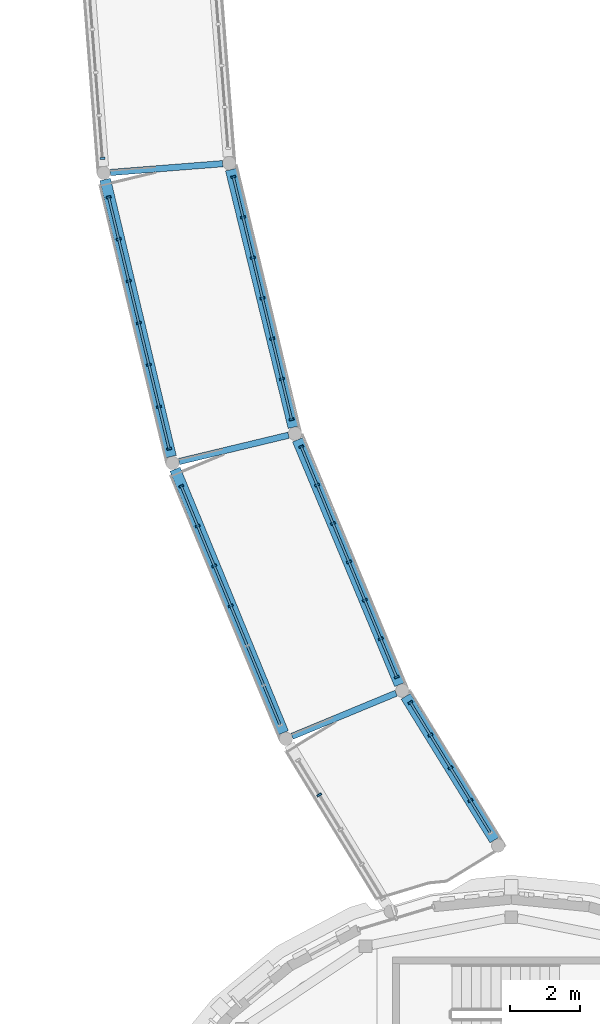
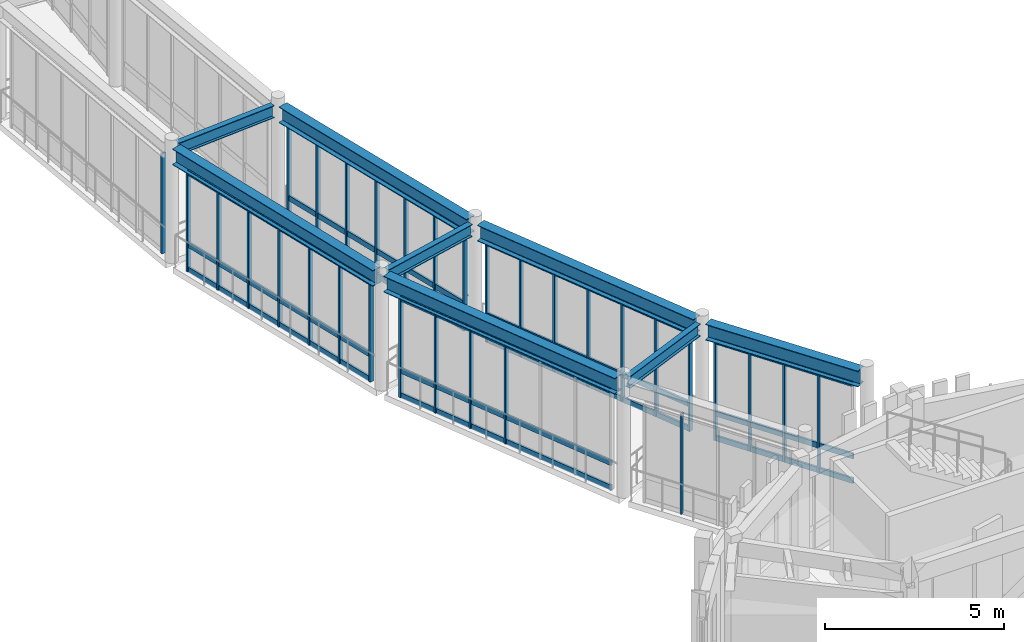
# One storey, part 25 of 80: 46 members, 8 beams, 7 elements without a shape of their own.
"""IFC4 building model written with IfcOpenShell, lengths in metres."""

from ifc_helpers import new_model, si_unit, direction, frame, origin, origin_2d, place, context, subcontext, project, spatial, rectangle, i_section, extrude, material, layer, layer_set, material_profile, profile_set, type_object, element, aggregate, save


model = new_model("IFC4")

# Units and contexts
model_context = context("Model", 3, precision=1e-05, world=origin(), true_north=direction((0.0, 1.0)))
body_context = subcontext(model_context, "Body", "Model", "MODEL_VIEW")
ifc_project = project(units=[si_unit("LENGTHUNIT", "METRE"), si_unit("AREAUNIT", "SQUARE_METRE"), si_unit("VOLUMEUNIT", "CUBIC_METRE"), si_unit("PLANEANGLEUNIT", "RADIAN"), si_unit("MASSUNIT", "GRAM", prefix="KILO")], contexts=[model_context])

# Site, building, storey
site_placement = place(None, origin())
site = spatial("IfcSite", under=ifc_project, at=site_placement, CompositionType="ELEMENT")
building_placement = place(site_placement, origin())
building = spatial("IfcBuilding", under=site, at=building_placement, Name="Aldenvaro Health Centre", CompositionType="ELEMENT")
storey_placement = place(building_placement, frame((0.0, 0.0, 4.550048828125)))
storey = spatial("IfcBuildingStorey", under=building, at=storey_placement, Name="L01", CompositionType="ELEMENT", Elevation=4.550048828125)

# Beams
ifc_material_1 = material(Name="Steel ASTM A992 Grade 50", Category="steel")
ifc_material_profile_1 = material_profile(ifc_material_1, i_section(OverallWidth=0.180908203125, OverallDepth=0.4169921875, WebThickness=0.010986328125, FlangeThickness=0.018310546875, at=origin_2d()), Name="W16X57", Category="steel")
ifc_profile_set_1 = profile_set([ifc_material_profile_1], Name="Steel ASTM A992 Grade 50")
beam_type_1 = type_object("IfcBeamType", Name="BM-ST-W16E", PredefinedType="JOIST", material=ifc_profile_set_1)
beam_1_placement = place(storey_placement, frame((146.2509765625, 50.9130859375, 3.740966796875), z_axis=(-0.996927822406, -0.078325710416, 0.0), x_axis=(0.078325710416, -0.996927822406, 0.0)))
element("IfcBeam", 1, at=beam_1_placement, inside=storey, type_object=beam_type_1, Name="East Curved Garden Colonnade Arc 5 L01 cross beam 2", PredefinedType="JOIST", context=body_context, shape_type="SweptSolid", body=[
    extrude(i_section(OverallWidth=0.180908203125, OverallDepth=0.4169921875, WebThickness=0.010986328125, FlangeThickness=0.018310546875, at=origin_2d()), origin(), (0.0, 0.0, 1.0), 3.219970703125),
])
beam_2_placement = place(storey_placement, frame((148.135009765625, 43.153076171875, 3.740966796875), z_axis=(-0.97231910957, -0.233656904811, 0.0), x_axis=(0.233656904811, -0.97231910957, 0.0)))
element("IfcBeam", 2, at=beam_2_placement, inside=storey, type_object=beam_type_1, Name="East Curved Garden Colonnade Arc 6 L01 cross beam 2", PredefinedType="JOIST", context=body_context, shape_type="SweptSolid", body=[
    extrude(i_section(OverallWidth=0.180908203125, OverallDepth=0.4169921875, WebThickness=0.010986328125, FlangeThickness=0.018310546875, at=origin_2d()), origin(), (0.0, 0.0, 1.0), 3.21923828125),
])
beam_3_placement = place(storey_placement, frame((151.208984375, 35.781005859375, 3.740966796875), z_axis=(-0.923867073753, -0.382713509084, 0.0), x_axis=(0.382713509084, -0.923867073753, 0.0)))
element("IfcBeam", 3, at=beam_3_placement, inside=storey, type_object=beam_type_1, Name="East Curved Garden Colonnade Arc 7 L01 cross beam 2", PredefinedType="JOIST", context=body_context, shape_type="SweptSolid", body=[
    extrude(i_section(OverallWidth=0.180908203125, OverallDepth=0.4169921875, WebThickness=0.010986328125, FlangeThickness=0.018310546875, at=origin_2d()), origin(), (0.0, 0.0, 1.0), 3.218994140625),
])
ifc_material_profile_2 = material_profile(ifc_material_1, i_section(OverallWidth=0.31201171875, OverallDepth=0.54296875, WebThickness=0.0126953125, FlangeThickness=0.020263671875, at=origin_2d()), Name="W21X101", Category="steel")
ifc_profile_set_2 = profile_set([ifc_material_profile_2], Name="Steel ASTM A992 Grade 50")
beam_type_2 = type_object("IfcBeamType", Name="BM-ST-W21E", PredefinedType="BEAM", material=ifc_profile_set_2)
beam_4_placement = place(storey_placement, frame((146.485107421875, 50.742919921875, 3.678955078125), z_axis=(0.236266872954, -0.971688203461, 0.0), x_axis=(0.971688203461, 0.236266872954, 0.0)))
element("IfcBeam", 4, at=beam_4_placement, inside=storey, type_object=beam_type_2, Name="East Curved Garden Colonnade Arc 6 L01 girder L-1", PredefinedType="BEAM", context=body_context, shape_type="SweptSolid", body=[
    extrude(i_section(OverallWidth=0.31201171875, OverallDepth=0.54296875, WebThickness=0.0126953125, FlangeThickness=0.020263671875, at=origin_2d()), origin(), (0.0, 0.0, 1.0), 7.5751953125),
])
beam_5_placement = place(storey_placement, frame((142.89599609375, 50.4609375, 3.678955078125), z_axis=(0.230971628449, -0.972960485761, 0.0), x_axis=(0.972960485761, 0.230971628449, 0.0)))
element("IfcBeam", 5, at=beam_5_placement, inside=storey, type_object=beam_type_2, Name="East Curved Garden Colonnade Arc 6 L01 girder R-1", PredefinedType="BEAM", context=body_context, shape_type="SweptSolid", body=[
    extrude(i_section(OverallWidth=0.31201171875, OverallDepth=0.54296875, WebThickness=0.0126953125, FlangeThickness=0.020263671875, at=origin_2d()), origin(), (0.0, 0.0, 1.0), 8.138916015625),
])
beam_6_placement = place(storey_placement, frame((148.39306640625, 43.02197265625, 3.678955078125), z_axis=(0.385203244822, -0.922831761579, 0.0), x_axis=(0.922831761579, 0.385203244822, 0.0)))
element("IfcBeam", 6, at=beam_6_placement, inside=storey, type_object=beam_type_2, Name="East Curved Garden Colonnade Arc 7 L01 girder L-1", PredefinedType="BEAM", context=body_context, shape_type="SweptSolid", body=[
    extrude(i_section(OverallWidth=0.31201171875, OverallDepth=0.54296875, WebThickness=0.0126953125, FlangeThickness=0.020263671875, at=origin_2d()), origin(), (0.0, 0.0, 1.0), 7.57763671875),
])
beam_7_placement = place(storey_placement, frame((144.89208984375, 42.180908203125, 3.678955078125), z_axis=(0.380211211966, -0.924899688775, 0.0), x_axis=(0.924899688775, 0.380211211966, 0.0)))
element("IfcBeam", 7, at=beam_7_placement, inside=storey, type_object=beam_type_2, Name="East Curved Garden Colonnade Arc 7 L01 girder R-1", PredefinedType="BEAM", context=body_context, shape_type="SweptSolid", body=[
    extrude(i_section(OverallWidth=0.31201171875, OverallDepth=0.54296875, WebThickness=0.0126953125, FlangeThickness=0.020263671875, at=origin_2d()), origin(), (0.0, 0.0, 1.0), 8.14013671875),
])
beam_8_placement = place(storey_placement, frame((151.485107421875, 35.69189453125, 3.678955078125), z_axis=(0.526147401134, -0.85039338678, 0.0), x_axis=(0.85039338678, 0.526147401134, 0.0)))
element("IfcBeam", 8, at=beam_8_placement, inside=storey, type_object=beam_type_2, Name="East Curved Garden Colonnade Arc 8 L01 girder L-1", PredefinedType="BEAM", context=body_context, shape_type="SweptSolid", body=[
    extrude(i_section(OverallWidth=0.31201171875, OverallDepth=0.54296875, WebThickness=0.0126953125, FlangeThickness=0.020263671875, at=origin_2d()), origin(), (0.0, 0.0, 1.0), 4.8271484375),
])

# Curtain wall, member
ifc_material_2 = material(Name="Anodised Aluminium 6063-T6", Category="aluminium")
ifc_layer = layer(ifc_material_2, 0.2099609375, Name="Anodised Aluminium 6063-T6", Category="aluminium")
ifc_layer_set = layer_set([ifc_layer], Name="Anodised Aluminium 6063-T6")
curtain_wall_type = type_object("IfcCurtainWallType", Name="CW-BRG-03", PredefinedType="NOTDEFINED", material=ifc_layer_set)
curtain_wall_1_placement = place(storey_placement, origin())
curtain_wall_1 = element("IfcCurtainWall", 9, at=curtain_wall_1_placement, inside=storey, type_object=curtain_wall_type, Name="East Curved Garden Colonnade Arc 5 L01 glazed link wall R-1.1", PredefinedType="NOTDEFINED")
ifc_material_profile_3 = material_profile(ifc_material_2, rectangle(XDim=0.06005859375, YDim=0.135009765625, at=origin_2d()), Name="ALU 60x135", Category="aluminium")
ifc_profile_set_3 = profile_set([ifc_material_profile_3], Name="Anodised Aluminium 6063-T6")
member_type_1 = type_object("IfcMemberType", Name="CWM-150", PredefinedType="MULLION", material=ifc_profile_set_3)
member_1_placement = place(storey_placement, frame((142.819091796875, 51.06494140625, 0.0), z_axis=(0.0, 0.0, 1.0), x_axis=(0.078536330505, -0.996911252214, 0.0)))
member_1 = element("IfcMember", 10, at=member_1_placement, type_object=member_type_1, Name="East Curved Garden Colonnade Arc 5 L01 glazed link wall R-1.1 mullion 7", PredefinedType="MULLION", context=body_context, shape_type="SweptSolid", body=[
    extrude(rectangle(XDim=0.06005859375, YDim=0.135009765625, at=origin_2d()), origin(), (0.0, 0.0, 1.0), 3.409912109375),
])
aggregate(curtain_wall_1, [member_1])

# Curtain wall, members
curtain_wall_2_placement = place(storey_placement, origin())
curtain_wall_2 = element("IfcCurtainWall", 11, at=curtain_wall_2_placement, inside=storey, type_object=curtain_wall_type, Name="East Curved Garden Colonnade Arc 6 L01 glazed link wall L-1.1", PredefinedType="NOTDEFINED")
member_2_placement = place(storey_placement, frame((146.55810546875, 50.534912109375, 0.0), z_axis=(0.0, 0.0, 1.0), x_axis=(0.233510945903, -0.972354173202, 0.0)))
member_2 = element("IfcMember", 12, at=member_2_placement, type_object=member_type_1, Name="East Curved Garden Colonnade Arc 6 L01 glazed link wall L-1.1 mullion 1", PredefinedType="MULLION", context=body_context, shape_type="SweptSolid", body=[
    extrude(rectangle(XDim=0.06005859375, YDim=0.135009765625, at=origin_2d()), origin(), (0.0, 0.0, 1.0), 3.409912109375),
])
member_3_placement = place(storey_placement, frame((146.8349609375, 49.3798828125, 0.0), z_axis=(0.0, 0.0, 1.0), x_axis=(0.233510945903, -0.972354173202, 0.0)))
member_3 = element("IfcMember", 13, at=member_3_placement, type_object=member_type_1, Name="East Curved Garden Colonnade Arc 6 L01 glazed link wall L-1.1 mullion 2", PredefinedType="MULLION", context=body_context, shape_type="SweptSolid", body=[
    extrude(rectangle(XDim=0.06005859375, YDim=0.135009765625, at=origin_2d()), origin(), (0.0, 0.0, 1.0), 3.409912109375),
])
member_4_placement = place(storey_placement, frame((147.113037109375, 48.22509765625, 0.0), z_axis=(0.0, 0.0, 1.0), x_axis=(0.233510945903, -0.972354173202, 0.0)))
member_4 = element("IfcMember", 14, at=member_4_placement, type_object=member_type_1, Name="East Curved Garden Colonnade Arc 6 L01 glazed link wall L-1.1 mullion 3", PredefinedType="MULLION", context=body_context, shape_type="SweptSolid", body=[
    extrude(rectangle(XDim=0.06005859375, YDim=0.135009765625, at=origin_2d()), origin(), (0.0, 0.0, 1.0), 3.409912109375),
])
member_5_placement = place(storey_placement, frame((147.389892578125, 47.070068359375, 0.0), z_axis=(0.0, 0.0, 1.0), x_axis=(0.233510945903, -0.972354173202, 0.0)))
member_5 = element("IfcMember", 15, at=member_5_placement, type_object=member_type_1, Name="East Curved Garden Colonnade Arc 6 L01 glazed link wall L-1.1 mullion 4", PredefinedType="MULLION", context=body_context, shape_type="SweptSolid", body=[
    extrude(rectangle(XDim=0.06005859375, YDim=0.135009765625, at=origin_2d()), origin(), (0.0, 0.0, 1.0), 3.409912109375),
])
member_6_placement = place(storey_placement, frame((147.6669921875, 45.916015625, 0.0), z_axis=(0.0, 0.0, 1.0), x_axis=(0.233510945903, -0.972354173202, 0.0)))
member_6 = element("IfcMember", 16, at=member_6_placement, type_object=member_type_1, Name="East Curved Garden Colonnade Arc 6 L01 glazed link wall L-1.1 mullion 5", PredefinedType="MULLION", context=body_context, shape_type="SweptSolid", body=[
    extrude(rectangle(XDim=0.06005859375, YDim=0.135009765625, at=origin_2d()), origin(), (0.0, 0.0, 1.0), 3.409912109375),
])
member_7_placement = place(storey_placement, frame((147.945068359375, 44.760986328125, 0.0), z_axis=(0.0, 0.0, 1.0), x_axis=(0.233510945903, -0.972354173202, 0.0)))
member_7 = element("IfcMember", 17, at=member_7_placement, type_object=member_type_1, Name="East Curved Garden Colonnade Arc 6 L01 glazed link wall L-1.1 mullion 6", PredefinedType="MULLION", context=body_context, shape_type="SweptSolid", body=[
    extrude(rectangle(XDim=0.06005859375, YDim=0.135009765625, at=origin_2d()), origin(), (0.0, 0.0, 1.0), 3.409912109375),
])
member_8_placement = place(storey_placement, frame((148.221923828125, 43.60595703125, 0.0), z_axis=(0.0, 0.0, 1.0), x_axis=(0.233510945903, -0.972354173202, 0.0)))
member_8 = element("IfcMember", 18, at=member_8_placement, type_object=member_type_1, Name="East Curved Garden Colonnade Arc 6 L01 glazed link wall L-1.1 mullion 7", PredefinedType="MULLION", context=body_context, shape_type="SweptSolid", body=[
    extrude(rectangle(XDim=0.06005859375, YDim=0.135009765625, at=origin_2d()), origin(), (0.0, 0.0, 1.0), 3.409912109375),
])

curtain_wall_3_placement = place(storey_placement, origin())
curtain_wall_3 = element("IfcCurtainWall", 19, at=curtain_wall_3_placement, inside=storey, type_object=curtain_wall_type, Name="East Curved Garden Colonnade Arc 6 L01 glazed link wall R-1.1", PredefinedType="NOTDEFINED")
member_9_placement = place(storey_placement, frame((142.993896484375, 49.9580078125, 0.0), z_axis=(0.0, 0.0, 1.0), x_axis=(0.233587677429, -0.972335742917, 0.0)))
member_9 = element("IfcMember", 20, at=member_9_placement, type_object=member_type_1, Name="East Curved Garden Colonnade Arc 6 L01 glazed link wall R-1.1 mullion 1", PredefinedType="MULLION", context=body_context, shape_type="SweptSolid", body=[
    extrude(rectangle(XDim=0.06005859375, YDim=0.135009765625, at=origin_2d()), origin(), (0.0, 0.0, 1.0), 3.409912109375),
])
member_10_placement = place(storey_placement, frame((143.281982421875, 48.759033203125, 0.0), z_axis=(0.0, 0.0, 1.0), x_axis=(0.233587677429, -0.972335742917, 0.0)))
member_10 = element("IfcMember", 21, at=member_10_placement, type_object=member_type_1, Name="East Curved Garden Colonnade Arc 6 L01 glazed link wall R-1.1 mullion 2", PredefinedType="MULLION", context=body_context, shape_type="SweptSolid", body=[
    extrude(rectangle(XDim=0.06005859375, YDim=0.135009765625, at=origin_2d()), origin(), (0.0, 0.0, 1.0), 3.409912109375),
])
member_11_placement = place(storey_placement, frame((143.570068359375, 47.56005859375, 0.0), z_axis=(0.0, 0.0, 1.0), x_axis=(0.233587677429, -0.972335742917, 0.0)))
member_11 = element("IfcMember", 22, at=member_11_placement, type_object=member_type_1, Name="East Curved Garden Colonnade Arc 6 L01 glazed link wall R-1.1 mullion 3", PredefinedType="MULLION", context=body_context, shape_type="SweptSolid", body=[
    extrude(rectangle(XDim=0.06005859375, YDim=0.135009765625, at=origin_2d()), origin(), (0.0, 0.0, 1.0), 3.409912109375),
])
member_12_placement = place(storey_placement, frame((143.85791015625, 46.361083984375, 0.0), z_axis=(0.0, 0.0, 1.0), x_axis=(0.233587677429, -0.972335742917, 0.0)))
member_12 = element("IfcMember", 23, at=member_12_placement, type_object=member_type_1, Name="East Curved Garden Colonnade Arc 6 L01 glazed link wall R-1.1 mullion 4", PredefinedType="MULLION", context=body_context, shape_type="SweptSolid", body=[
    extrude(rectangle(XDim=0.06005859375, YDim=0.135009765625, at=origin_2d()), origin(), (0.0, 0.0, 1.0), 3.409912109375),
])
member_13_placement = place(storey_placement, frame((144.14599609375, 45.1630859375, 0.0), z_axis=(0.0, 0.0, 1.0), x_axis=(0.233587677429, -0.972335742917, 0.0)))
member_13 = element("IfcMember", 24, at=member_13_placement, type_object=member_type_1, Name="East Curved Garden Colonnade Arc 6 L01 glazed link wall R-1.1 mullion 5", PredefinedType="MULLION", context=body_context, shape_type="SweptSolid", body=[
    extrude(rectangle(XDim=0.06005859375, YDim=0.135009765625, at=origin_2d()), origin(), (0.0, 0.0, 1.0), 3.409912109375),
])
member_14_placement = place(storey_placement, frame((144.43408203125, 43.964111328125, 0.0), z_axis=(0.0, 0.0, 1.0), x_axis=(0.233587677429, -0.972335742917, 0.0)))
member_14 = element("IfcMember", 25, at=member_14_placement, type_object=member_type_1, Name="East Curved Garden Colonnade Arc 6 L01 glazed link wall R-1.1 mullion 6", PredefinedType="MULLION", context=body_context, shape_type="SweptSolid", body=[
    extrude(rectangle(XDim=0.06005859375, YDim=0.135009765625, at=origin_2d()), origin(), (0.0, 0.0, 1.0), 3.409912109375),
])
member_15_placement = place(storey_placement, frame((144.721923828125, 42.764892578125, 0.0), z_axis=(0.0, 0.0, 1.0), x_axis=(0.233587677429, -0.972335742917, 0.0)))
member_15 = element("IfcMember", 26, at=member_15_placement, type_object=member_type_1, Name="East Curved Garden Colonnade Arc 6 L01 glazed link wall R-1.1 mullion 7", PredefinedType="MULLION", context=body_context, shape_type="SweptSolid", body=[
    extrude(rectangle(XDim=0.06005859375, YDim=0.135009765625, at=origin_2d()), origin(), (0.0, 0.0, 1.0), 3.409912109375),
])

curtain_wall_4_placement = place(storey_placement, origin())
curtain_wall_4 = element("IfcCurtainWall", 27, at=curtain_wall_4_placement, inside=storey, type_object=curtain_wall_type, Name="East Curved Garden Colonnade Arc 7 L01 glazed link wall L-1.1", PredefinedType="NOTDEFINED")
member_16_placement = place(storey_placement, frame((148.4970703125, 42.827880859375, 0.0), z_axis=(0.0, 0.0, 1.0), x_axis=(0.382562426811, -0.923929645369, 0.0)))
member_16 = element("IfcMember", 28, at=member_16_placement, type_object=member_type_1, Name="East Curved Garden Colonnade Arc 7 L01 glazed link wall L-1.1 mullion 1", PredefinedType="MULLION", context=body_context, shape_type="SweptSolid", body=[
    extrude(rectangle(XDim=0.06005859375, YDim=0.135009765625, at=origin_2d()), origin(), (0.0, 0.0, 1.0), 3.409912109375),
])
member_17_placement = place(storey_placement, frame((148.951904296875, 41.72998046875, 0.0), z_axis=(0.0, 0.0, 1.0), x_axis=(0.382562426811, -0.923929645369, 0.0)))
member_17 = element("IfcMember", 29, at=member_17_placement, type_object=member_type_1, Name="East Curved Garden Colonnade Arc 7 L01 glazed link wall L-1.1 mullion 2", PredefinedType="MULLION", context=body_context, shape_type="SweptSolid", body=[
    extrude(rectangle(XDim=0.06005859375, YDim=0.135009765625, at=origin_2d()), origin(), (0.0, 0.0, 1.0), 3.409912109375),
])
member_18_placement = place(storey_placement, frame((149.406005859375, 40.633056640625, 0.0), z_axis=(0.0, 0.0, 1.0), x_axis=(0.382562426811, -0.923929645369, 0.0)))
member_18 = element("IfcMember", 30, at=member_18_placement, type_object=member_type_1, Name="East Curved Garden Colonnade Arc 7 L01 glazed link wall L-1.1 mullion 3", PredefinedType="MULLION", context=body_context, shape_type="SweptSolid", body=[
    extrude(rectangle(XDim=0.06005859375, YDim=0.135009765625, at=origin_2d()), origin(), (0.0, 0.0, 1.0), 3.409912109375),
])
member_19_placement = place(storey_placement, frame((149.861083984375, 39.534912109375, 0.0), z_axis=(0.0, 0.0, 1.0), x_axis=(0.382562426811, -0.923929645369, 0.0)))
member_19 = element("IfcMember", 31, at=member_19_placement, type_object=member_type_1, Name="East Curved Garden Colonnade Arc 7 L01 glazed link wall L-1.1 mullion 4", PredefinedType="MULLION", context=body_context, shape_type="SweptSolid", body=[
    extrude(rectangle(XDim=0.06005859375, YDim=0.135009765625, at=origin_2d()), origin(), (0.0, 0.0, 1.0), 3.409912109375),
])
member_20_placement = place(storey_placement, frame((150.31494140625, 38.43701171875, 0.0), z_axis=(0.0, 0.0, 1.0), x_axis=(0.382562426811, -0.923929645369, 0.0)))
member_20 = element("IfcMember", 32, at=member_20_placement, type_object=member_type_1, Name="East Curved Garden Colonnade Arc 7 L01 glazed link wall L-1.1 mullion 5", PredefinedType="MULLION", context=body_context, shape_type="SweptSolid", body=[
    extrude(rectangle(XDim=0.06005859375, YDim=0.135009765625, at=origin_2d()), origin(), (0.0, 0.0, 1.0), 3.409912109375),
])
member_21_placement = place(storey_placement, frame((150.76904296875, 37.340087890625, 0.0), z_axis=(0.0, 0.0, 1.0), x_axis=(0.382562426811, -0.923929645369, 0.0)))
member_21 = element("IfcMember", 33, at=member_21_placement, type_object=member_type_1, Name="East Curved Garden Colonnade Arc 7 L01 glazed link wall L-1.1 mullion 6", PredefinedType="MULLION", context=body_context, shape_type="SweptSolid", body=[
    extrude(rectangle(XDim=0.06005859375, YDim=0.135009765625, at=origin_2d()), origin(), (0.0, 0.0, 1.0), 3.409912109375),
])
member_22_placement = place(storey_placement, frame((151.22412109375, 36.241943359375, 0.0), z_axis=(0.0, 0.0, 1.0), x_axis=(0.382562426811, -0.923929645369, 0.0)))
member_22 = element("IfcMember", 34, at=member_22_placement, type_object=member_type_1, Name="East Curved Garden Colonnade Arc 7 L01 glazed link wall L-1.1 mullion 7", PredefinedType="MULLION", context=body_context, shape_type="SweptSolid", body=[
    extrude(rectangle(XDim=0.06005859375, YDim=0.135009765625, at=origin_2d()), origin(), (0.0, 0.0, 1.0), 3.409912109375),
])

curtain_wall_5_placement = place(storey_placement, origin())
curtain_wall_5 = element("IfcCurtainWall", 35, at=curtain_wall_5_placement, inside=storey, type_object=curtain_wall_type, Name="East Curved Garden Colonnade Arc 7 L01 glazed link wall R-1.1", PredefinedType="NOTDEFINED")
member_23_placement = place(storey_placement, frame((145.068115234375, 41.699951171875, 0.0), z_axis=(0.0, 0.0, 1.0), x_axis=(0.382503002228, -0.923954248481, 0.0)))
member_23 = element("IfcMember", 36, at=member_23_placement, type_object=member_type_1, Name="East Curved Garden Colonnade Arc 7 L01 glazed link wall R-1.1 mullion 1", PredefinedType="MULLION", context=body_context, shape_type="SweptSolid", body=[
    extrude(rectangle(XDim=0.06005859375, YDim=0.135009765625, at=origin_2d()), origin(), (0.0, 0.0, 1.0), 3.409912109375),
])
member_24_placement = place(storey_placement, frame((145.5400390625, 40.56103515625, 0.0), z_axis=(0.0, 0.0, 1.0), x_axis=(0.382503002228, -0.923954248481, 0.0)))
member_24 = element("IfcMember", 37, at=member_24_placement, type_object=member_type_1, Name="East Curved Garden Colonnade Arc 7 L01 glazed link wall R-1.1 mullion 2", PredefinedType="MULLION", context=body_context, shape_type="SweptSolid", body=[
    extrude(rectangle(XDim=0.06005859375, YDim=0.135009765625, at=origin_2d()), origin(), (0.0, 0.0, 1.0), 3.409912109375),
])
member_25_placement = place(storey_placement, frame((146.010986328125, 39.4208984375, 0.0), z_axis=(0.0, 0.0, 1.0), x_axis=(0.382503002228, -0.923954248481, 0.0)))
member_25 = element("IfcMember", 38, at=member_25_placement, type_object=member_type_1, Name="East Curved Garden Colonnade Arc 7 L01 glazed link wall R-1.1 mullion 3", PredefinedType="MULLION", context=body_context, shape_type="SweptSolid", body=[
    extrude(rectangle(XDim=0.06005859375, YDim=0.135009765625, at=origin_2d()), origin(), (0.0, 0.0, 1.0), 3.409912109375),
])
member_26_placement = place(storey_placement, frame((146.48291015625, 38.281982421875, 0.0), z_axis=(0.0, 0.0, 1.0), x_axis=(0.382503002228, -0.923954248481, 0.0)))
member_26 = element("IfcMember", 39, at=member_26_placement, type_object=member_type_1, Name="East Curved Garden Colonnade Arc 7 L01 glazed link wall R-1.1 mullion 4", PredefinedType="MULLION", context=body_context, shape_type="SweptSolid", body=[
    extrude(rectangle(XDim=0.06005859375, YDim=0.135009765625, at=origin_2d()), origin(), (0.0, 0.0, 1.0), 3.409912109375),
])

curtain_wall_6_placement = place(storey_placement, origin())
curtain_wall_6 = element("IfcCurtainWall", 40, at=curtain_wall_6_placement, inside=storey, type_object=curtain_wall_type, Name="East Curved Garden Colonnade Arc 8 L01 glazed link wall L-1.1", PredefinedType="NOTDEFINED")
member_27_placement = place(storey_placement, frame((151.617919921875, 35.51708984375, 0.0), z_axis=(0.0, 0.0, 1.0), x_axis=(0.522567413628, -0.852597969863, 0.0)))
member_27 = element("IfcMember", 41, at=member_27_placement, type_object=member_type_1, Name="East Curved Garden Colonnade Arc 8 L01 glazed link wall L-1.1 mullion 1", PredefinedType="MULLION", context=body_context, shape_type="SweptSolid", body=[
    extrude(rectangle(XDim=0.06005859375, YDim=0.135009765625, at=origin_2d()), origin(), (0.0, 0.0, 1.0), 3.409912109375),
])
member_28_placement = place(storey_placement, frame((152.18994140625, 34.583984375, 0.0), z_axis=(0.0, 0.0, 1.0), x_axis=(0.522567413628, -0.852597969863, 0.0)))
member_28 = element("IfcMember", 42, at=member_28_placement, type_object=member_type_1, Name="East Curved Garden Colonnade Arc 8 L01 glazed link wall L-1.1 mullion 2", PredefinedType="MULLION", context=body_context, shape_type="SweptSolid", body=[
    extrude(rectangle(XDim=0.06005859375, YDim=0.135009765625, at=origin_2d()), origin(), (0.0, 0.0, 1.0), 3.409912109375),
])
member_29_placement = place(storey_placement, frame((152.761962890625, 33.65087890625, 0.0), z_axis=(0.0, 0.0, 1.0), x_axis=(0.522567413628, -0.852597969863, 0.0)))
member_29 = element("IfcMember", 43, at=member_29_placement, type_object=member_type_1, Name="East Curved Garden Colonnade Arc 8 L01 glazed link wall L-1.1 mullion 3", PredefinedType="MULLION", context=body_context, shape_type="SweptSolid", body=[
    extrude(rectangle(XDim=0.06005859375, YDim=0.135009765625, at=origin_2d()), origin(), (0.0, 0.0, 1.0), 3.409912109375),
])
member_30_placement = place(storey_placement, frame((153.333984375, 32.717041015625, 0.0), z_axis=(0.0, 0.0, 1.0), x_axis=(0.522567413628, -0.852597969863, 0.0)))
member_30 = element("IfcMember", 44, at=member_30_placement, type_object=member_type_1, Name="East Curved Garden Colonnade Arc 8 L01 glazed link wall L-1.1 mullion 4", PredefinedType="MULLION", context=body_context, shape_type="SweptSolid", body=[
    extrude(rectangle(XDim=0.06005859375, YDim=0.135009765625, at=origin_2d()), origin(), (0.0, 0.0, 1.0), 3.409912109375),
])

# Curtain wall, member
curtain_wall_7_placement = place(storey_placement, origin())
curtain_wall_7 = element("IfcCurtainWall", 45, at=curtain_wall_7_placement, inside=storey, type_object=curtain_wall_type, Name="East Curved Garden Colonnade Arc 8 L01 glazed link wall R-1.1", PredefinedType="NOTDEFINED")
member_31_placement = place(storey_placement, frame((149.013916015625, 32.875, 0.0), z_axis=(0.0, 0.0, 1.0), x_axis=(0.522476308425, -0.852653802627, 0.0)))
member_31 = element("IfcMember", 46, at=member_31_placement, type_object=member_type_1, Name="East Curved Garden Colonnade Arc 8 L01 glazed link wall R-1.1 mullion 2", PredefinedType="MULLION", context=body_context, shape_type="SweptSolid", body=[
    extrude(rectangle(XDim=0.06005859375, YDim=0.135009765625, at=origin_2d()), origin(), (0.0, 0.0, 1.0), 3.409912109375),
])
aggregate(curtain_wall_7, [member_31])

# Member
ifc_material_profile_4 = material_profile(ifc_material_2, rectangle(XDim=0.06494140625, YDim=0.179931640625, at=origin_2d()), Name="ALU 65x180", Category="aluminium")
ifc_profile_set_4 = profile_set([ifc_material_profile_4], Name="Anodised Aluminium 6063-T6")
member_type_2 = type_object("IfcMemberType", Name="CWT-150", PredefinedType="USERDEFINED", material=ifc_profile_set_4)
member_32_placement = place(storey_placement, frame((146.55810546875, 50.534912109375, 0.06005859375), z_axis=(0.233488276979, -0.972359616867, 0.0), x_axis=(0.972359616867, 0.233488276979, 0.0)))
member_32 = element("IfcMember", 47, at=member_32_placement, type_object=member_type_2, Name="East Curved Garden Colonnade Arc 6 L01 glazed link wall L-1.1 transom 1", ObjectType="TRANSOM", PredefinedType="USERDEFINED", context=body_context, shape_type="SweptSolid", body=[
    extrude(rectangle(XDim=0.06494140625, YDim=0.179931640625, at=origin_2d()), origin(), (0.0, 0.0, 1.0), 7.1259765625),
])

member_33_placement = place(storey_placement, frame((146.55810546875, 50.534912109375, 0.89990234375), z_axis=(0.233488276979, -0.972359616867, 0.0), x_axis=(0.972359616867, 0.233488276979, 0.0)))
member_33 = element("IfcMember", 48, at=member_33_placement, type_object=member_type_2, Name="East Curved Garden Colonnade Arc 6 L01 glazed link wall L-1.1 transom 2", ObjectType="TRANSOM", PredefinedType="USERDEFINED", context=body_context, shape_type="SweptSolid", body=[
    extrude(rectangle(XDim=0.06494140625, YDim=0.179931640625, at=origin_2d()), origin(), (0.0, 0.0, 1.0), 7.1259765625),
])

member_34_placement = place(storey_placement, frame((146.55810546875, 50.534912109375, 3.349853515625), z_axis=(0.233488276979, -0.972359616867, 0.0), x_axis=(0.972359616867, 0.233488276979, 0.0)))
member_34 = element("IfcMember", 49, at=member_34_placement, type_object=member_type_2, Name="East Curved Garden Colonnade Arc 6 L01 glazed link wall L-1.1 transom 3", ObjectType="TRANSOM", PredefinedType="USERDEFINED", context=body_context, shape_type="SweptSolid", body=[
    extrude(rectangle(XDim=0.06494140625, YDim=0.179931640625, at=origin_2d()), origin(), (0.0, 0.0, 1.0), 7.1259765625),
])

aggregate(curtain_wall_2, [member_2, member_3, member_4, member_5, member_6, member_7, member_8, member_32, member_33, member_34])

member_35_placement = place(storey_placement, frame((142.993896484375, 49.9580078125, 0.06005859375), z_axis=(0.233587634054, -0.972335753337, 0.0), x_axis=(0.972335753337, 0.233587634054, 0.0)))
member_35 = element("IfcMember", 50, at=member_35_placement, type_object=member_type_2, Name="East Curved Garden Colonnade Arc 6 L01 glazed link wall R-1.1 transom 1", ObjectType="TRANSOM", PredefinedType="USERDEFINED", context=body_context, shape_type="SweptSolid", body=[
    extrude(rectangle(XDim=0.06494140625, YDim=0.179931640625, at=origin_2d()), origin(), (0.0, 0.0, 1.0), 7.397705078125),
])

member_36_placement = place(storey_placement, frame((142.993896484375, 49.9580078125, 0.89990234375), z_axis=(0.233587634054, -0.972335753337, 0.0), x_axis=(0.972335753337, 0.233587634054, 0.0)))
member_36 = element("IfcMember", 51, at=member_36_placement, type_object=member_type_2, Name="East Curved Garden Colonnade Arc 6 L01 glazed link wall R-1.1 transom 2", ObjectType="TRANSOM", PredefinedType="USERDEFINED", context=body_context, shape_type="SweptSolid", body=[
    extrude(rectangle(XDim=0.06494140625, YDim=0.179931640625, at=origin_2d()), origin(), (0.0, 0.0, 1.0), 7.397705078125),
])

member_37_placement = place(storey_placement, frame((142.993896484375, 49.9580078125, 3.349853515625), z_axis=(0.233587634054, -0.972335753337, 0.0), x_axis=(0.972335753337, 0.233587634054, 0.0)))
member_37 = element("IfcMember", 52, at=member_37_placement, type_object=member_type_2, Name="East Curved Garden Colonnade Arc 6 L01 glazed link wall R-1.1 transom 3", ObjectType="TRANSOM", PredefinedType="USERDEFINED", context=body_context, shape_type="SweptSolid", body=[
    extrude(rectangle(XDim=0.06494140625, YDim=0.179931640625, at=origin_2d()), origin(), (0.0, 0.0, 1.0), 7.397705078125),
])

aggregate(curtain_wall_3, [member_9, member_10, member_11, member_12, member_13, member_14, member_15, member_35, member_36, member_37])

member_38_placement = place(storey_placement, frame((148.4970703125, 42.827880859375, 0.06005859375), z_axis=(0.382571607282, -0.923925844049, 0.0), x_axis=(0.923925844049, 0.382571607282, 0.0)))
member_38 = element("IfcMember", 53, at=member_38_placement, type_object=member_type_2, Name="East Curved Garden Colonnade Arc 7 L01 glazed link wall L-1.1 transom 1", ObjectType="TRANSOM", PredefinedType="USERDEFINED", context=body_context, shape_type="SweptSolid", body=[
    extrude(rectangle(XDim=0.06494140625, YDim=0.179931640625, at=origin_2d()), origin(), (0.0, 0.0, 1.0), 7.128173828125),
])

member_39_placement = place(storey_placement, frame((148.4970703125, 42.827880859375, 0.89990234375), z_axis=(0.382571607282, -0.923925844049, 0.0), x_axis=(0.923925844049, 0.382571607282, 0.0)))
member_39 = element("IfcMember", 54, at=member_39_placement, type_object=member_type_2, Name="East Curved Garden Colonnade Arc 7 L01 glazed link wall L-1.1 transom 2", ObjectType="TRANSOM", PredefinedType="USERDEFINED", context=body_context, shape_type="SweptSolid", body=[
    extrude(rectangle(XDim=0.06494140625, YDim=0.179931640625, at=origin_2d()), origin(), (0.0, 0.0, 1.0), 7.128173828125),
])

member_40_placement = place(storey_placement, frame((148.4970703125, 42.827880859375, 3.349853515625), z_axis=(0.382571607282, -0.923925844049, 0.0), x_axis=(0.923925844049, 0.382571607282, 0.0)))
member_40 = element("IfcMember", 55, at=member_40_placement, type_object=member_type_2, Name="East Curved Garden Colonnade Arc 7 L01 glazed link wall L-1.1 transom 3", ObjectType="TRANSOM", PredefinedType="USERDEFINED", context=body_context, shape_type="SweptSolid", body=[
    extrude(rectangle(XDim=0.06494140625, YDim=0.179931640625, at=origin_2d()), origin(), (0.0, 0.0, 1.0), 7.128173828125),
])

aggregate(curtain_wall_4, [member_16, member_17, member_18, member_19, member_20, member_21, member_22, member_38, member_39, member_40])

member_41_placement = place(storey_placement, frame((145.068115234375, 41.699951171875, 0.06005859375), z_axis=(0.382486831665, -0.923960942682, 0.0), x_axis=(0.923960942682, 0.382486831665, 0.0)))
member_41 = element("IfcMember", 56, at=member_41_placement, type_object=member_type_2, Name="East Curved Garden Colonnade Arc 7 L01 glazed link wall R-1.1 transom 1", ObjectType="TRANSOM", PredefinedType="USERDEFINED", context=body_context, shape_type="SweptSolid", body=[
    extrude(rectangle(XDim=0.06494140625, YDim=0.179931640625, at=origin_2d()), origin(), (0.0, 0.0, 1.0), 7.3984375),
])

member_42_placement = place(storey_placement, frame((145.068115234375, 41.699951171875, 0.89990234375), z_axis=(0.382486831665, -0.923960942682, 0.0), x_axis=(0.923960942682, 0.382486831665, 0.0)))
member_42 = element("IfcMember", 57, at=member_42_placement, type_object=member_type_2, Name="East Curved Garden Colonnade Arc 7 L01 glazed link wall R-1.1 transom 2", ObjectType="TRANSOM", PredefinedType="USERDEFINED", context=body_context, shape_type="SweptSolid", body=[
    extrude(rectangle(XDim=0.06494140625, YDim=0.179931640625, at=origin_2d()), origin(), (0.0, 0.0, 1.0), 7.3984375),
])

member_43_placement = place(storey_placement, frame((145.068115234375, 41.699951171875, 3.349853515625), z_axis=(0.382486831665, -0.923960942682, 0.0), x_axis=(0.923960942682, 0.382486831665, 0.0)))
member_43 = element("IfcMember", 58, at=member_43_placement, type_object=member_type_2, Name="East Curved Garden Colonnade Arc 7 L01 glazed link wall R-1.1 transom 3", ObjectType="TRANSOM", PredefinedType="USERDEFINED", context=body_context, shape_type="SweptSolid", body=[
    extrude(rectangle(XDim=0.06494140625, YDim=0.179931640625, at=origin_2d()), origin(), (0.0, 0.0, 1.0), 7.3984375),
])

aggregate(curtain_wall_5, [member_23, member_24, member_25, member_26, member_41, member_42, member_43])

member_44_placement = place(storey_placement, frame((151.617919921875, 35.51708984375, 0.06005859375), z_axis=(0.5225659804, -0.852598848303, 0.0), x_axis=(0.852598848303, 0.5225659804, 0.0)))
member_44 = element("IfcMember", 59, at=member_44_placement, type_object=member_type_2, Name="East Curved Garden Colonnade Arc 8 L01 glazed link wall L-1.1 transom 1", ObjectType="TRANSOM", PredefinedType="USERDEFINED", context=body_context, shape_type="SweptSolid", body=[
    extrude(rectangle(XDim=0.06494140625, YDim=0.179931640625, at=origin_2d()), origin(), (0.0, 0.0, 1.0), 4.378662109375),
])

member_45_placement = place(storey_placement, frame((151.617919921875, 35.51708984375, 0.89990234375), z_axis=(0.5225659804, -0.852598848303, 0.0), x_axis=(0.852598848303, 0.5225659804, 0.0)))
member_45 = element("IfcMember", 60, at=member_45_placement, type_object=member_type_2, Name="East Curved Garden Colonnade Arc 8 L01 glazed link wall L-1.1 transom 2", ObjectType="TRANSOM", PredefinedType="USERDEFINED", context=body_context, shape_type="SweptSolid", body=[
    extrude(rectangle(XDim=0.06494140625, YDim=0.179931640625, at=origin_2d()), origin(), (0.0, 0.0, 1.0), 4.378662109375),
])

member_46_placement = place(storey_placement, frame((151.617919921875, 35.51708984375, 3.349853515625), z_axis=(0.5225659804, -0.852598848303, 0.0), x_axis=(0.852598848303, 0.5225659804, 0.0)))
member_46 = element("IfcMember", 61, at=member_46_placement, type_object=member_type_2, Name="East Curved Garden Colonnade Arc 8 L01 glazed link wall L-1.1 transom 3", ObjectType="TRANSOM", PredefinedType="USERDEFINED", context=body_context, shape_type="SweptSolid", body=[
    extrude(rectangle(XDim=0.06494140625, YDim=0.179931640625, at=origin_2d()), origin(), (0.0, 0.0, 1.0), 4.378662109375),
])

aggregate(curtain_wall_6, [member_27, member_28, member_29, member_30, member_44, member_45, member_46])

save(model, "model.ifc")
